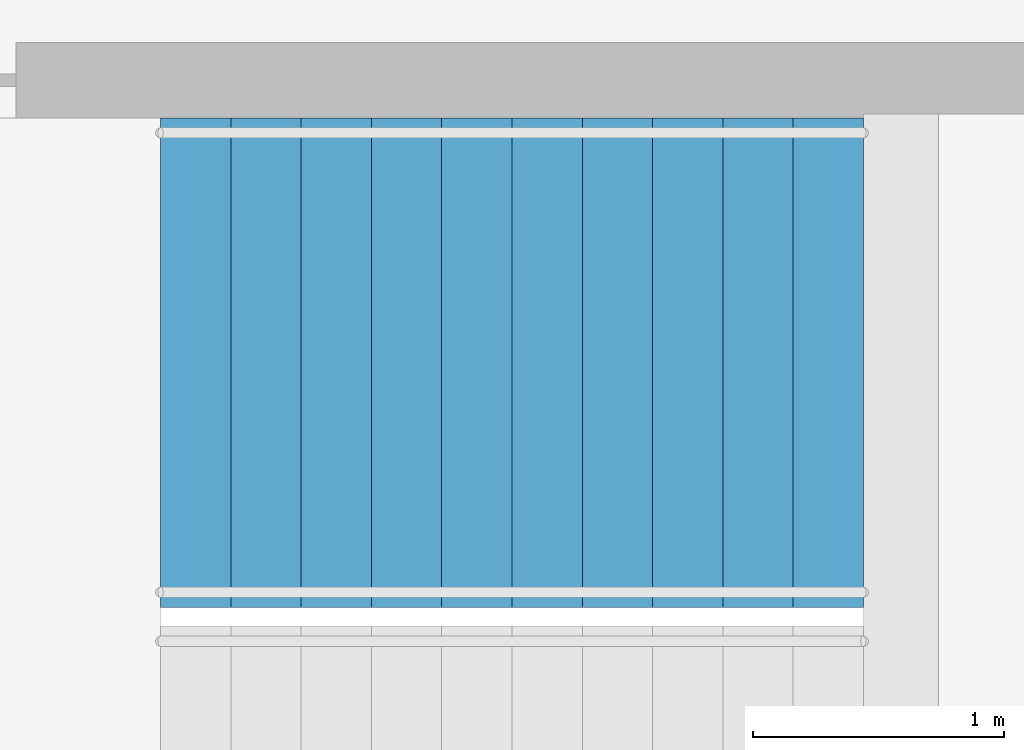
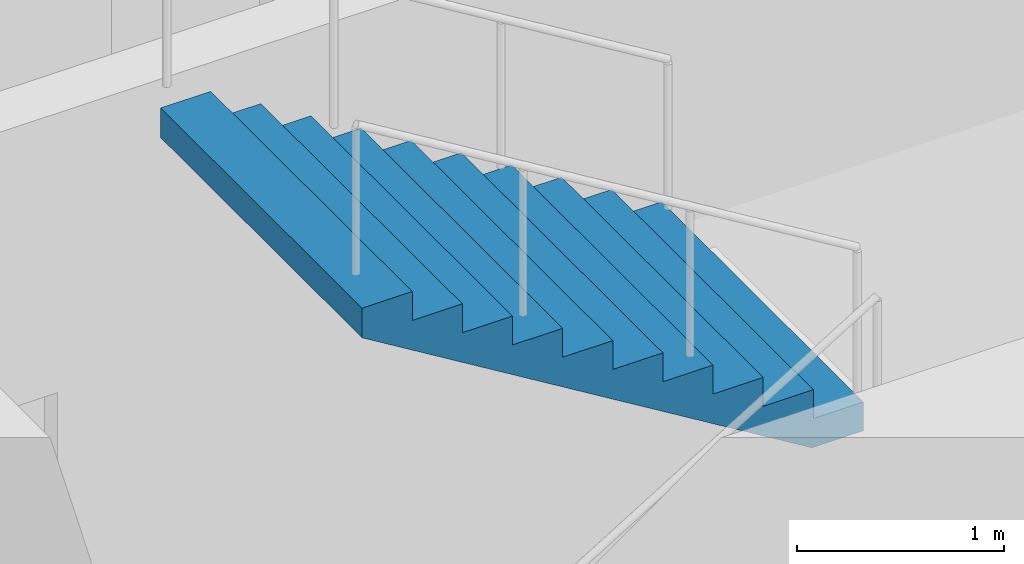
# One storey, part 21 of 25: 1 stair flight, 1 element without a shape of its own.
"""IFC4 building model written with IfcOpenShell, lengths in metres."""

from ifc_helpers import new_model, si_unit, direction, frame, origin, place, context, subcontext, project, spatial, triangles, material, type_object, element, aggregate, save


model = new_model("IFC4")

# Units and contexts
model_context = context("Model", 3, precision=1e-05, world=origin(), true_north=direction((0.0, 1.0)))
body_context = subcontext(model_context, "Body", "Model", "MODEL_VIEW")
ifc_project = project(units=[si_unit("LENGTHUNIT", "METRE"), si_unit("AREAUNIT", "SQUARE_METRE"), si_unit("VOLUMEUNIT", "CUBIC_METRE"), si_unit("PLANEANGLEUNIT", "RADIAN"), si_unit("MASSUNIT", "GRAM", prefix="KILO")], contexts=[model_context])

# Site, building, storey
site_placement = place(None, origin())
site = spatial("IfcSite", under=ifc_project, at=site_placement, CompositionType="ELEMENT")
building_placement = place(site_placement, origin())
building = spatial("IfcBuilding", under=site, at=building_placement, Name="Orbita Commons", CompositionType="ELEMENT")
storey_placement = place(building_placement, frame((0.0, 0.0, 99.39990234375)))
storey = spatial("IfcBuildingStorey", under=building, at=storey_placement, Name="L24", CompositionType="ELEMENT", Elevation=99.39990234375)

# Stair, stair flight
ifc_material_1 = material(Name="Precast concrete C40/50", Category="concrete")
stair_type = type_object("IfcStairType", Name="Exit stair S1 2 flights 11 risers 170", PredefinedType="HALF_TURN_STAIR", material=ifc_material_1)
stair_placement = place(storey_placement, origin())
stair = element("IfcStair", 1, at=stair_placement, inside=storey, type_object=stair_type, Name="Exit stair S1 L24", PredefinedType="HALF_TURN_STAIR")
ifc_material_2 = material(Name="Precast concrete C40/50", Category="concrete")
stair_flight_type = type_object("IfcStairFlightType", Name="Stair flight 11 risers 170 x 280", PredefinedType="STRAIGHT", material=ifc_material_2)
stair_flight_placement = place(storey_placement, frame((23.25, 29.27490234375, 1.875), z_axis=(0.0, 0.0, 1.0), x_axis=(-1.0, 0.0, 0.0)))
stair_flight = element("IfcStairFlight", 2, at=stair_flight_placement, type_object=stair_flight_type, Name="S1 flight 2", NumberOfRisers=11, NumberOfTreads=10, PredefinedType="STRAIGHT", RiserHeight=0.170454545, TreadLength=0.28, context=body_context, shape_type="Tessellation", body=[
    triangles([(0.0, 0.974976, 0.0), (0.0, 0.974976, 0.021307), (0.0, 0.81248, 0.021307), (0.0, 0.81248, 0.0), (0.0, 0.649984, 0.021307), (0.0, 0.649984, 0.0), (0.0, 0.487488, 0.021307), (0.0, 0.487488, 0.0), (0.0, 0.324992, 0.021307), (0.0, 0.324992, 0.0), (0.0, 0.162496, 0.021307), (0.0, 0.162496, 0.0), (0.0, 0.0, 0.021307), (0.0, 0.0, 0.0), (0.0, -0.162496, 0.021307), (0.0, -0.162496, 0.0), (0.0, -0.324992, 0.021307), (0.0, -0.324992, 0.0), (0.0, -0.487488, 0.021307), (0.0, -0.487488, 0.0), (0.0, -0.649984, 0.021307), (0.0, -0.649984, 0.0), (0.0, -0.81248, 0.021307), (0.0, -0.81248, 0.0), (0.0, -0.974976, 0.021307), (0.0, -0.974976, 0.0), (0.0, 0.974976, 0.042614), (0.0, 0.81248, 0.042614), (0.0, 0.649984, 0.042614), (0.0, 0.487488, 0.042614), (0.0, 0.324992, 0.042614), (0.0, 0.162496, 0.042614), (0.0, 0.0, 0.042614), (0.0, -0.162496, 0.042614), (0.0, -0.324992, 0.042614), (0.0, -0.487488, 0.042614), (0.0, -0.649984, 0.042614), (0.0, -0.81248, 0.042614), (0.0, -0.974976, 0.042614), (0.0, 0.974976, 0.06392), (0.0, 0.81248, 0.06392), (0.0, 0.649984, 0.06392), (0.0, 0.487488, 0.06392), (0.0, 0.324992, 0.06392), (0.0, 0.162496, 0.06392), (0.0, 0.0, 0.06392), (0.0, -0.162496, 0.06392), (0.0, -0.324992, 0.06392), (0.0, -0.487488, 0.06392), (0.0, -0.649984, 0.06392), (0.0, -0.81248, 0.06392), (0.0, -0.974976, 0.06392), (0.0, 0.974976, 0.085227), (0.0, 0.81248, 0.085227), (0.0, 0.649984, 0.085227), (0.0, 0.487488, 0.085227), (0.0, 0.324992, 0.085227), (0.0, 0.162496, 0.085227), (0.0, 0.0, 0.085227), (0.0, -0.162496, 0.085227), (0.0, -0.324992, 0.085227), (0.0, -0.487488, 0.085227), (0.0, -0.649984, 0.085227), (0.0, -0.81248, 0.085227), (0.0, -0.974976, 0.085227), (0.0, 0.974976, 0.106534), (0.0, 0.81248, 0.106534), (0.0, 0.649984, 0.106534), (0.0, 0.487488, 0.106534), (0.0, 0.324992, 0.106534), (0.0, 0.162496, 0.106534), (0.0, 0.0, 0.106534), (0.0, -0.162496, 0.106534), (0.0, -0.324992, 0.106534), (0.0, -0.487488, 0.106534), (0.0, -0.649984, 0.106534), (0.0, -0.81248, 0.106534), (0.0, -0.974976, 0.106534), (0.0, 0.974976, 0.127841), (0.0, 0.81248, 0.127841), (0.0, 0.649984, 0.127841), (0.0, 0.487488, 0.127841), (0.0, 0.324992, 0.127841), (0.0, 0.162496, 0.127841), (0.0, 0.0, 0.127841), (0.0, -0.162496, 0.127841), (0.0, -0.324992, 0.127841), (0.0, -0.487488, 0.127841), (0.0, -0.649984, 0.127841), (0.0, -0.81248, 0.127841), (0.0, -0.974976, 0.127841), (0.0, 0.974976, 0.149148), (0.0, 0.81248, 0.149148), (0.0, 0.649984, 0.149148), (0.0, 0.487488, 0.149148), (0.0, 0.324992, 0.149148), (0.0, 0.162496, 0.149148), (0.0, 0.0, 0.149148), (0.0, -0.162496, 0.149148), (0.0, -0.324992, 0.149148), (0.0, -0.487488, 0.149148), (0.0, -0.649984, 0.149148), (0.0, -0.81248, 0.149148), (0.0, -0.974976, 0.149148), (0.0, 0.974976, 0.170455), (0.0, 0.81248, 0.170455), (0.0, 0.649984, 0.170455), (0.0, 0.487488, 0.170455), (0.0, 0.324992, 0.170455), (0.0, 0.162496, 0.170455), (0.0, 0.0, 0.170455), (0.0, -0.162496, 0.170455), (0.0, -0.324992, 0.170455), (0.0, -0.487488, 0.170455), (0.0, -0.649984, 0.170455), (0.0, -0.81248, 0.170455), (0.0, -0.974976, 0.170455), (0.28, 0.974976, 0.170455), (0.28, 0.81248, 0.170455), (0.28, 0.649984, 0.170455), (0.28, 0.487488, 0.170455), (0.28, 0.324992, 0.170455), (0.28, 0.162496, 0.170455), (0.28, 0.0, 0.170455), (0.28, -0.162496, 0.170455), (0.28, -0.324992, 0.170455), (0.28, -0.487488, 0.170455), (0.28, -0.649984, 0.170455), (0.28, -0.81248, 0.170455), (0.28, -0.974976, 0.170455), (0.28, 0.974976, 0.340909), (0.28, 0.81248, 0.340909), (0.28, 0.649984, 0.340909), (0.28, 0.487488, 0.340909), (0.28, 0.324992, 0.340909), (0.28, 0.162496, 0.340909), (0.28, 0.0, 0.340909), (0.28, -0.162496, 0.340909), (0.28, -0.324992, 0.340909), (0.28, -0.487488, 0.340909), (0.28, -0.649984, 0.340909), (0.28, -0.81248, 0.340909), (0.28, -0.974976, 0.340909), (0.56, 0.974976, 0.340909), (0.56, 0.81248, 0.340909), (0.56, 0.649984, 0.340909), (0.56, 0.487488, 0.340909), (0.56, 0.324992, 0.340909), (0.56, 0.162496, 0.340909), (0.56, 0.0, 0.340909), (0.56, -0.162496, 0.340909), (0.56, -0.324992, 0.340909), (0.56, -0.487488, 0.340909), (0.56, -0.649984, 0.340909), (0.56, -0.81248, 0.340909), (0.56, -0.974976, 0.340909), (0.56, 0.974976, 0.511364), (0.56, 0.81248, 0.511364), (0.56, 0.649984, 0.511364), (0.56, 0.487488, 0.511364), (0.56, 0.324992, 0.511364), (0.56, 0.162496, 0.511364), (0.56, 0.0, 0.511364), (0.56, -0.162496, 0.511364), (0.56, -0.324992, 0.511364), (0.56, -0.487488, 0.511364), (0.56, -0.649984, 0.511364), (0.56, -0.81248, 0.511364), (0.56, -0.974976, 0.511364), (0.84, 0.974976, 0.511364), (0.84, 0.81248, 0.511364), (0.84, 0.649984, 0.511364), (0.84, 0.487488, 0.511364), (0.84, 0.324992, 0.511364), (0.84, 0.162496, 0.511364), (0.84, 0.0, 0.511364), (0.84, -0.162496, 0.511364), (0.84, -0.324992, 0.511364), (0.84, -0.487488, 0.511364), (0.84, -0.649984, 0.511364), (0.84, -0.81248, 0.511364), (0.84, -0.974976, 0.511364), (0.84, 0.974976, 0.681818), (0.84, 0.81248, 0.681818), (0.84, 0.649984, 0.681818), (0.84, 0.487488, 0.681818), (0.84, 0.324992, 0.681818), (0.84, 0.162496, 0.681818), (0.84, 0.0, 0.681818), (0.84, -0.162496, 0.681818), (0.84, -0.324992, 0.681818), (0.84, -0.487488, 0.681818), (0.84, -0.649984, 0.681818), (0.84, -0.81248, 0.681818), (0.84, -0.974976, 0.681818), (1.12, 0.974976, 0.681818), (1.12, 0.81248, 0.681818), (1.12, 0.649984, 0.681818), (1.12, 0.487488, 0.681818), (1.12, 0.324992, 0.681818), (1.12, 0.162496, 0.681818), (1.12, 0.0, 0.681818), (1.12, -0.162496, 0.681818), (1.12, -0.324992, 0.681818), (1.12, -0.487488, 0.681818), (1.12, -0.649984, 0.681818), (1.12, -0.81248, 0.681818), (1.12, -0.974976, 0.681818), (1.12, 0.974976, 0.852273), (1.12, 0.81248, 0.852273), (1.12, 0.649984, 0.852273), (1.12, 0.487488, 0.852273), (1.12, 0.324992, 0.852273), (1.12, 0.162496, 0.852273), (1.12, 0.0, 0.852273), (1.12, -0.162496, 0.852273), (1.12, -0.324992, 0.852273), (1.12, -0.487488, 0.852273), (1.12, -0.649984, 0.852273), (1.12, -0.81248, 0.852273), (1.12, -0.974976, 0.852273), (1.4, 0.974976, 0.852273), (1.4, 0.81248, 0.852273), (1.4, 0.649984, 0.852273), (1.4, 0.487488, 0.852273), (1.4, 0.324992, 0.852273), (1.4, 0.162496, 0.852273), (1.4, 0.0, 0.852273), (1.4, -0.162496, 0.852273), (1.4, -0.324992, 0.852273), (1.4, -0.487488, 0.852273), (1.4, -0.649984, 0.852273), (1.4, -0.81248, 0.852273), (1.4, -0.974976, 0.852273), (1.4, 0.974976, 1.022727), (1.4, 0.81248, 1.022727), (1.4, 0.649984, 1.022727), (1.4, 0.487488, 1.022727), (1.4, 0.324992, 1.022727), (1.4, 0.162496, 1.022727), (1.4, 0.0, 1.022727), (1.4, -0.162496, 1.022727), (1.4, -0.324992, 1.022727), (1.4, -0.487488, 1.022727), (1.4, -0.649984, 1.022727), (1.4, -0.81248, 1.022727), (1.4, -0.974976, 1.022727), (1.68, 0.974976, 1.022727), (1.68, 0.81248, 1.022727), (1.68, 0.649984, 1.022727), (1.68, 0.487488, 1.022727), (1.68, 0.324992, 1.022727), (1.68, 0.162496, 1.022727), (1.68, 0.0, 1.022727), (1.68, -0.162496, 1.022727), (1.68, -0.324992, 1.022727), (1.68, -0.487488, 1.022727), (1.68, -0.649984, 1.022727), (1.68, -0.81248, 1.022727), (1.68, -0.974976, 1.022727), (1.68, 0.974976, 1.193182), (1.68, 0.81248, 1.193182), (1.68, 0.649984, 1.193182), (1.68, 0.487488, 1.193182), (1.68, 0.324992, 1.193182), (1.68, 0.162496, 1.193182), (1.68, 0.0, 1.193182), (1.68, -0.162496, 1.193182), (1.68, -0.324992, 1.193182), (1.68, -0.487488, 1.193182), (1.68, -0.649984, 1.193182), (1.68, -0.81248, 1.193182), (1.68, -0.974976, 1.193182), (1.96, 0.974976, 1.193182), (1.96, 0.81248, 1.193182), (1.96, 0.649984, 1.193182), (1.96, 0.487488, 1.193182), (1.96, 0.324992, 1.193182), (1.96, 0.162496, 1.193182), (1.96, 0.0, 1.193182), (1.96, -0.162496, 1.193182), (1.96, -0.324992, 1.193182), (1.96, -0.487488, 1.193182), (1.96, -0.649984, 1.193182), (1.96, -0.81248, 1.193182), (1.96, -0.974976, 1.193182), (1.96, 0.974976, 1.363636), (1.96, 0.81248, 1.363636), (1.96, 0.649984, 1.363636), (1.96, 0.487488, 1.363636), (1.96, 0.324992, 1.363636), (1.96, 0.162496, 1.363636), (1.96, 0.0, 1.363636), (1.96, -0.162496, 1.363636), (1.96, -0.324992, 1.363636), (1.96, -0.487488, 1.363636), (1.96, -0.649984, 1.363636), (1.96, -0.81248, 1.363636), (1.96, -0.974976, 1.363636), (2.24, 0.974976, 1.363636), (2.24, 0.81248, 1.363636), (2.24, 0.649984, 1.363636), (2.24, 0.487488, 1.363636), (2.24, 0.324992, 1.363636), (2.24, 0.162496, 1.363636), (2.24, 0.0, 1.363636), (2.24, -0.162496, 1.363636), (2.24, -0.324992, 1.363636), (2.24, -0.487488, 1.363636), (2.24, -0.649984, 1.363636), (2.24, -0.81248, 1.363636), (2.24, -0.974976, 1.363636), (2.24, 0.974976, 1.534091), (2.24, 0.81248, 1.534091), (2.24, 0.649984, 1.534091), (2.24, 0.487488, 1.534091), (2.24, 0.324992, 1.534091), (2.24, 0.162496, 1.534091), (2.24, 0.0, 1.534091), (2.24, -0.162496, 1.534091), (2.24, -0.324992, 1.534091), (2.24, -0.487488, 1.534091), (2.24, -0.649984, 1.534091), (2.24, -0.81248, 1.534091), (2.24, -0.974976, 1.534091), (2.52, 0.974976, 1.534091), (2.52, 0.81248, 1.534091), (2.52, 0.649984, 1.534091), (2.52, 0.487488, 1.534091), (2.52, 0.324992, 1.534091), (2.52, 0.162496, 1.534091), (2.52, 0.0, 1.534091), (2.52, -0.162496, 1.534091), (2.52, -0.324992, 1.534091), (2.52, -0.487488, 1.534091), (2.52, -0.649984, 1.534091), (2.52, -0.81248, 1.534091), (2.52, -0.974976, 1.534091), (2.52, 0.974976, 1.704545), (2.52, 0.81248, 1.704545), (2.52, 0.649984, 1.704545), (2.52, 0.487488, 1.704545), (2.52, 0.324992, 1.704545), (2.52, 0.162496, 1.704545), (2.52, 0.0, 1.704545), (2.52, -0.162496, 1.704545), (2.52, -0.324992, 1.704545), (2.52, -0.487488, 1.704545), (2.52, -0.649984, 1.704545), (2.52, -0.81248, 1.704545), (2.52, -0.974976, 1.704545), (2.8, 0.974976, 1.704545), (2.8, 0.81248, 1.704545), (2.8, 0.649984, 1.704545), (2.8, 0.487488, 1.704545), (2.8, 0.324992, 1.704545), (2.8, 0.162496, 1.704545), (2.8, 0.0, 1.704545), (2.8, -0.162496, 1.704545), (2.8, -0.324992, 1.704545), (2.8, -0.487488, 1.704545), (2.8, -0.649984, 1.704545), (2.8, -0.81248, 1.704545), (2.8, -0.974976, 1.704545), (2.8, 0.974976, 1.682609), (2.8, 0.81248, 1.682609), (2.8, 0.649984, 1.682609), (2.8, 0.487488, 1.682609), (2.8, 0.324992, 1.682609), (2.8, 0.162496, 1.682609), (2.8, 0.0, 1.682609), (2.8, -0.162496, 1.682609), (2.8, -0.324992, 1.682609), (2.8, -0.487488, 1.682609), (2.8, -0.649984, 1.682609), (2.8, -0.81248, 1.682609), (2.8, -0.974976, 1.682609), (2.8, 0.974976, 1.660672), (2.8, 0.81248, 1.660672), (2.8, 0.649984, 1.660672), (2.8, 0.487488, 1.660672), (2.8, 0.324992, 1.660672), (2.8, 0.162496, 1.660672), (2.8, 0.0, 1.660672), (2.8, -0.162496, 1.660672), (2.8, -0.324992, 1.660672), (2.8, -0.487488, 1.660672), (2.8, -0.649984, 1.660672), (2.8, -0.81248, 1.660672), (2.8, -0.974976, 1.660672), (2.8, 0.974976, 1.638735), (2.8, 0.81248, 1.638735), (2.8, 0.649984, 1.638735), (2.8, 0.487488, 1.638735), (2.8, 0.324992, 1.638735), (2.8, 0.162496, 1.638735), (2.8, 0.0, 1.638735), (2.8, -0.162496, 1.638735), (2.8, -0.324992, 1.638735), (2.8, -0.487488, 1.638735), (2.8, -0.649984, 1.638735), (2.8, -0.81248, 1.638735), (2.8, -0.974976, 1.638735), (2.8, 0.974976, 1.616798), (2.8, 0.81248, 1.616798), (2.8, 0.649984, 1.616798), (2.8, 0.487488, 1.616798), (2.8, 0.324992, 1.616798), (2.8, 0.162496, 1.616798), (2.8, 0.0, 1.616798), (2.8, -0.162496, 1.616798), (2.8, -0.324992, 1.616798), (2.8, -0.487488, 1.616798), (2.8, -0.649984, 1.616798), (2.8, -0.81248, 1.616798), (2.8, -0.974976, 1.616798), (2.8, 0.974976, 1.594861), (2.8, 0.81248, 1.594861), (2.8, 0.649984, 1.594861), (2.8, 0.487488, 1.594861), (2.8, 0.324992, 1.594861), (2.8, 0.162496, 1.594861), (2.8, 0.0, 1.594861), (2.8, -0.162496, 1.594861), (2.8, -0.324992, 1.594861), (2.8, -0.487488, 1.594861), (2.8, -0.649984, 1.594861), (2.8, -0.81248, 1.594861), (2.8, -0.974976, 1.594861), (2.8, 0.974976, 1.572925), (2.8, 0.81248, 1.572925), (2.8, 0.649984, 1.572925), (2.8, 0.487488, 1.572925), (2.8, 0.324992, 1.572925), (2.8, 0.162496, 1.572925), (2.8, 0.0, 1.572925), (2.8, -0.162496, 1.572925), (2.8, -0.324992, 1.572925), (2.8, -0.487488, 1.572925), (2.8, -0.649984, 1.572925), (2.8, -0.81248, 1.572925), (2.8, -0.974976, 1.572925), (2.8, 0.974976, 1.550988), (2.8, 0.81248, 1.550988), (2.8, 0.649984, 1.550988), (2.8, 0.487488, 1.550988), (2.8, 0.324992, 1.550988), (2.8, 0.162496, 1.550988), (2.8, 0.0, 1.550988), (2.8, -0.162496, 1.550988), (2.8, -0.324992, 1.550988), (2.8, -0.487488, 1.550988), (2.8, -0.649984, 1.550988), (2.8, -0.81248, 1.550988), (2.8, -0.974976, 1.550988), (2.8, 0.974976, 1.529051), (2.8, 0.81248, 1.529051), (2.8, 0.649984, 1.529051), (2.8, 0.487488, 1.529051), (2.8, 0.324992, 1.529051), (2.8, 0.162496, 1.529051), (2.8, 0.0, 1.529051), (2.8, -0.162496, 1.529051), (2.8, -0.324992, 1.529051), (2.8, -0.487488, 1.529051), (2.8, -0.649984, 1.529051), (2.8, -0.81248, 1.529051), (2.8, -0.974976, 1.529051), (0.288279, 0.974976, 0.0), (0.288279, 0.81248, 0.0), (0.288279, 0.649984, 0.0), (0.288279, 0.487488, 0.0), (0.288279, 0.324992, 0.0), (0.288279, 0.162496, 0.0), (0.288279, 0.0, 0.0), (0.288279, -0.162496, 0.0), (0.288279, -0.324992, 0.0), (0.288279, -0.487488, 0.0), (0.288279, -0.649984, 0.0), (0.288279, -0.81248, 0.0), (0.288279, -0.974976, 0.0)], [[3, 2, 1], [4, 3, 1], [5, 3, 4], [6, 5, 4], [7, 5, 6], [8, 7, 6], [9, 7, 8], [10, 9, 8], [11, 9, 10], [12, 11, 10], [13, 11, 12], [14, 13, 12], [15, 13, 14], [16, 15, 14], [17, 15, 16], [18, 17, 16], [19, 17, 18], [20, 19, 18], [21, 19, 20], [22, 21, 20], [23, 21, 22], [24, 23, 22], [25, 23, 24], [26, 25, 24], [28, 27, 2], [3, 28, 2], [29, 28, 3], [5, 29, 3], [30, 29, 5], [7, 30, 5], [31, 30, 7], [9, 31, 7], [32, 31, 9], [11, 32, 9], [33, 32, 11], [13, 33, 11], [34, 33, 13], [15, 34, 13], [35, 34, 15], [17, 35, 15], [36, 35, 17], [19, 36, 17], [37, 36, 19], [21, 37, 19], [38, 37, 21], [23, 38, 21], [39, 38, 23], [25, 39, 23], [41, 40, 27], [28, 41, 27], [42, 41, 28], [29, 42, 28], [43, 42, 29], [30, 43, 29], [44, 43, 30], [31, 44, 30], [45, 44, 31], [32, 45, 31], [46, 45, 32], [33, 46, 32], [47, 46, 33], [34, 47, 33], [48, 47, 34], [35, 48, 34], [49, 48, 35], [36, 49, 35], [50, 49, 36], [37, 50, 36], [51, 50, 37], [38, 51, 37], [52, 51, 38], [39, 52, 38], [54, 53, 40], [41, 54, 40], [55, 54, 41], [42, 55, 41], [56, 55, 42], [43, 56, 42], [57, 56, 43], [44, 57, 43], [58, 57, 44], [45, 58, 44], [59, 58, 45], [46, 59, 45], [60, 59, 46], [47, 60, 46], [61, 60, 47], [48, 61, 47], [62, 61, 48], [49, 62, 48], [63, 62, 49], [50, 63, 49], [64, 63, 50], [51, 64, 50], [65, 64, 51], [52, 65, 51], [67, 66, 53], [54, 67, 53], [68, 67, 54], [55, 68, 54], [69, 68, 55], [56, 69, 55], [70, 69, 56], [57, 70, 56], [71, 70, 57], [58, 71, 57], [72, 71, 58], [59, 72, 58], [73, 72, 59], [60, 73, 59], [74, 73, 60], [61, 74, 60], [75, 74, 61], [62, 75, 61], [76, 75, 62], [63, 76, 62], [77, 76, 63], [64, 77, 63], [78, 77, 64], [65, 78, 64], [80, 79, 66], [67, 80, 66], [81, 80, 67], [68, 81, 67], [82, 81, 68], [69, 82, 68], [83, 82, 69], [70, 83, 69], [84, 83, 70], [71, 84, 70], [85, 84, 71], [72, 85, 71], [86, 85, 72], [73, 86, 72], [87, 86, 73], [74, 87, 73], [88, 87, 74], [75, 88, 74], [89, 88, 75], [76, 89, 75], [90, 89, 76], [77, 90, 76], [91, 90, 77], [78, 91, 77], [93, 92, 79], [80, 93, 79], [94, 93, 80], [81, 94, 80], [95, 94, 81], [82, 95, 81], [96, 95, 82], [83, 96, 82], [97, 96, 83], [84, 97, 83], [98, 97, 84], [85, 98, 84], [99, 98, 85], [86, 99, 85], [100, 99, 86], [87, 100, 86], [101, 100, 87], [88, 101, 87], [102, 101, 88], [89, 102, 88], [103, 102, 89], [90, 103, 89], [104, 103, 90], [91, 104, 90], [106, 105, 92], [93, 106, 92], [107, 106, 93], [94, 107, 93], [108, 107, 94], [95, 108, 94], [109, 108, 95], [96, 109, 95], [110, 109, 96], [97, 110, 96], [111, 110, 97], [98, 111, 97], [112, 111, 98], [99, 112, 98], [113, 112, 99], [100, 113, 99], [114, 113, 100], [101, 114, 100], [115, 114, 101], [102, 115, 101], [116, 115, 102], [103, 116, 102], [117, 116, 103], [104, 117, 103], [119, 118, 105], [106, 119, 105], [120, 119, 106], [107, 120, 106], [121, 120, 107], [108, 121, 107], [122, 121, 108], [109, 122, 108], [123, 122, 109], [110, 123, 109], [124, 123, 110], [111, 124, 110], [125, 124, 111], [112, 125, 111], [126, 125, 112], [113, 126, 112], [127, 126, 113], [114, 127, 113], [128, 127, 114], [115, 128, 114], [129, 128, 115], [116, 129, 115], [130, 129, 116], [117, 130, 116], [132, 131, 118], [119, 132, 118], [133, 132, 119], [120, 133, 119], [134, 133, 120], [121, 134, 120], [135, 134, 121], [122, 135, 121], [136, 135, 122], [123, 136, 122], [137, 136, 123], [124, 137, 123], [138, 137, 124], [125, 138, 124], [139, 138, 125], [126, 139, 125], [140, 139, 126], [127, 140, 126], [141, 140, 127], [128, 141, 127], [142, 141, 128], [129, 142, 128], [143, 142, 129], [130, 143, 129], [145, 144, 131], [132, 145, 131], [146, 145, 132], [133, 146, 132], [147, 146, 133], [134, 147, 133], [148, 147, 134], [135, 148, 134], [149, 148, 135], [136, 149, 135], [150, 149, 136], [137, 150, 136], [151, 150, 137], [138, 151, 137], [152, 151, 138], [139, 152, 138], [153, 152, 139], [140, 153, 139], [154, 153, 140], [141, 154, 140], [155, 154, 141], [142, 155, 141], [156, 155, 142], [143, 156, 142], [158, 157, 144], [145, 158, 144], [159, 158, 145], [146, 159, 145], [160, 159, 146], [147, 160, 146], [161, 160, 147], [148, 161, 147], [162, 161, 148], [149, 162, 148], [163, 162, 149], [150, 163, 149], [164, 163, 150], [151, 164, 150], [165, 164, 151], [152, 165, 151], [166, 165, 152], [153, 166, 152], [167, 166, 153], [154, 167, 153], [168, 167, 154], [155, 168, 154], [169, 168, 155], [156, 169, 155], [171, 170, 157], [158, 171, 157], [172, 171, 158], [159, 172, 158], [173, 172, 159], [160, 173, 159], [174, 173, 160], [161, 174, 160], [175, 174, 161], [162, 175, 161], [176, 175, 162], [163, 176, 162], [177, 176, 163], [164, 177, 163], [178, 177, 164], [165, 178, 164], [179, 178, 165], [166, 179, 165], [180, 179, 166], [167, 180, 166], [181, 180, 167], [168, 181, 167], [182, 181, 168], [169, 182, 168], [184, 183, 170], [171, 184, 170], [185, 184, 171], [172, 185, 171], [186, 185, 172], [173, 186, 172], [187, 186, 173], [174, 187, 173], [188, 187, 174], [175, 188, 174], [189, 188, 175], [176, 189, 175], [190, 189, 176], [177, 190, 176], [191, 190, 177], [178, 191, 177], [192, 191, 178], [179, 192, 178], [193, 192, 179], [180, 193, 179], [194, 193, 180], [181, 194, 180], [195, 194, 181], [182, 195, 181], [197, 196, 183], [184, 197, 183], [198, 197, 184], [185, 198, 184], [199, 198, 185], [186, 199, 185], [200, 199, 186], [187, 200, 186], [201, 200, 187], [188, 201, 187], [202, 201, 188], [189, 202, 188], [203, 202, 189], [190, 203, 189], [204, 203, 190], [191, 204, 190], [205, 204, 191], [192, 205, 191], [206, 205, 192], [193, 206, 192], [207, 206, 193], [194, 207, 193], [208, 207, 194], [195, 208, 194], [210, 209, 196], [197, 210, 196], [211, 210, 197], [198, 211, 197], [212, 211, 198], [199, 212, 198], [213, 212, 199], [200, 213, 199], [214, 213, 200], [201, 214, 200], [215, 214, 201], [202, 215, 201], [216, 215, 202], [203, 216, 202], [217, 216, 203], [204, 217, 203], [218, 217, 204], [205, 218, 204], [219, 218, 205], [206, 219, 205], [220, 219, 206], [207, 220, 206], [221, 220, 207], [208, 221, 207], [223, 222, 209], [210, 223, 209], [224, 223, 210], [211, 224, 210], [225, 224, 211], [212, 225, 211], [226, 225, 212], [213, 226, 212], [227, 226, 213], [214, 227, 213], [228, 227, 214], [215, 228, 214], [229, 228, 215], [216, 229, 215], [230, 229, 216], [217, 230, 216], [231, 230, 217], [218, 231, 217], [232, 231, 218], [219, 232, 218], [233, 232, 219], [220, 233, 219], [234, 233, 220], [221, 234, 220], [236, 235, 222], [223, 236, 222], [237, 236, 223], [224, 237, 223], [238, 237, 224], [225, 238, 224], [239, 238, 225], [226, 239, 225], [240, 239, 226], [227, 240, 226], [241, 240, 227], [228, 241, 227], [242, 241, 228], [229, 242, 228], [243, 242, 229], [230, 243, 229], [244, 243, 230], [231, 244, 230], [245, 244, 231], [232, 245, 231], [246, 245, 232], [233, 246, 232], [247, 246, 233], [234, 247, 233], [249, 248, 235], [236, 249, 235], [250, 249, 236], [237, 250, 236], [251, 250, 237], [238, 251, 237], [252, 251, 238], [239, 252, 238], [253, 252, 239], [240, 253, 239], [254, 253, 240], [241, 254, 240], [255, 254, 241], [242, 255, 241], [256, 255, 242], [243, 256, 242], [257, 256, 243], [244, 257, 243], [258, 257, 244], [245, 258, 244], [259, 258, 245], [246, 259, 245], [260, 259, 246], [247, 260, 246], [262, 261, 248], [249, 262, 248], [263, 262, 249], [250, 263, 249], [264, 263, 250], [251, 264, 250], [265, 264, 251], [252, 265, 251], [266, 265, 252], [253, 266, 252], [267, 266, 253], [254, 267, 253], [268, 267, 254], [255, 268, 254], [269, 268, 255], [256, 269, 255], [270, 269, 256], [257, 270, 256], [271, 270, 257], [258, 271, 257], [272, 271, 258], [259, 272, 258], [273, 272, 259], [260, 273, 259], [275, 274, 261], [262, 275, 261], [276, 275, 262], [263, 276, 262], [277, 276, 263], [264, 277, 263], [278, 277, 264], [265, 278, 264], [279, 278, 265], [266, 279, 265], [280, 279, 266], [267, 280, 266], [281, 280, 267], [268, 281, 267], [282, 281, 268], [269, 282, 268], [283, 282, 269], [270, 283, 269], [284, 283, 270], [271, 284, 270], [285, 284, 271], [272, 285, 271], [286, 285, 272], [273, 286, 272], [288, 287, 274], [275, 288, 274], [289, 288, 275], [276, 289, 275], [290, 289, 276], [277, 290, 276], [291, 290, 277], [278, 291, 277], [292, 291, 278], [279, 292, 278], [293, 292, 279], [280, 293, 279], [294, 293, 280], [281, 294, 280], [295, 294, 281], [282, 295, 281], [296, 295, 282], [283, 296, 282], [297, 296, 283], [284, 297, 283], [298, 297, 284], [285, 298, 284], [299, 298, 285], [286, 299, 285], [301, 300, 287], [288, 301, 287], [302, 301, 288], [289, 302, 288], [303, 302, 289], [290, 303, 289], [304, 303, 290], [291, 304, 290], [305, 304, 291], [292, 305, 291], [306, 305, 292], [293, 306, 292], [307, 306, 293], [294, 307, 293], [308, 307, 294], [295, 308, 294], [309, 308, 295], [296, 309, 295], [310, 309, 296], [297, 310, 296], [311, 310, 297], [298, 311, 297], [312, 311, 298], [299, 312, 298], [314, 313, 300], [301, 314, 300], [315, 314, 301], [302, 315, 301], [316, 315, 302], [303, 316, 302], [317, 316, 303], [304, 317, 303], [318, 317, 304], [305, 318, 304], [319, 318, 305], [306, 319, 305], [320, 319, 306], [307, 320, 306], [321, 320, 307], [308, 321, 307], [322, 321, 308], [309, 322, 308], [323, 322, 309], [310, 323, 309], [324, 323, 310], [311, 324, 310], [325, 324, 311], [312, 325, 311], [327, 326, 313], [314, 327, 313], [328, 327, 314], [315, 328, 314], [329, 328, 315], [316, 329, 315], [330, 329, 316], [317, 330, 316], [331, 330, 317], [318, 331, 317], [332, 331, 318], [319, 332, 318], [333, 332, 319], [320, 333, 319], [334, 333, 320], [321, 334, 320], [335, 334, 321], [322, 335, 321], [336, 335, 322], [323, 336, 322], [337, 336, 323], [324, 337, 323], [338, 337, 324], [325, 338, 324], [340, 339, 326], [327, 340, 326], [341, 340, 327], [328, 341, 327], [342, 341, 328], [329, 342, 328], [343, 342, 329], [330, 343, 329], [344, 343, 330], [331, 344, 330], [345, 344, 331], [332, 345, 331], [346, 345, 332], [333, 346, 332], [347, 346, 333], [334, 347, 333], [348, 347, 334], [335, 348, 334], [349, 348, 335], [336, 349, 335], [350, 349, 336], [337, 350, 336], [351, 350, 337], [338, 351, 337], [353, 352, 339], [340, 353, 339], [354, 353, 340], [341, 354, 340], [355, 354, 341], [342, 355, 341], [356, 355, 342], [343, 356, 342], [357, 356, 343], [344, 357, 343], [358, 357, 344], [345, 358, 344], [359, 358, 345], [346, 359, 345], [360, 359, 346], [347, 360, 346], [361, 360, 347], [348, 361, 347], [362, 361, 348], [349, 362, 348], [363, 362, 349], [350, 363, 349], [364, 363, 350], [351, 364, 350], [366, 365, 352], [353, 366, 352], [367, 366, 353], [354, 367, 353], [368, 367, 354], [355, 368, 354], [369, 368, 355], [356, 369, 355], [370, 369, 356], [357, 370, 356], [371, 370, 357], [358, 371, 357], [372, 371, 358], [359, 372, 358], [373, 372, 359], [360, 373, 359], [374, 373, 360], [361, 374, 360], [375, 374, 361], [362, 375, 361], [376, 375, 362], [363, 376, 362], [377, 376, 363], [364, 377, 363], [379, 378, 365], [366, 379, 365], [380, 379, 366], [367, 380, 366], [381, 380, 367], [368, 381, 367], [382, 381, 368], [369, 382, 368], [383, 382, 369], [370, 383, 369], [384, 383, 370], [371, 384, 370], [385, 384, 371], [372, 385, 371], [386, 385, 372], [373, 386, 372], [387, 386, 373], [374, 387, 373], [388, 387, 374], [375, 388, 374], [389, 388, 375], [376, 389, 375], [390, 389, 376], [377, 390, 376], [392, 391, 378], [379, 392, 378], [393, 392, 379], [380, 393, 379], [394, 393, 380], [381, 394, 380], [395, 394, 381], [382, 395, 381], [396, 395, 382], [383, 396, 382], [397, 396, 383], [384, 397, 383], [398, 397, 384], [385, 398, 384], [399, 398, 385], [386, 399, 385], [400, 399, 386], [387, 400, 386], [401, 400, 387], [388, 401, 387], [402, 401, 388], [389, 402, 388], [403, 402, 389], [390, 403, 389], [405, 404, 391], [392, 405, 391], [406, 405, 392], [393, 406, 392], [407, 406, 393], [394, 407, 393], [408, 407, 394], [395, 408, 394], [409, 408, 395], [396, 409, 395], [410, 409, 396], [397, 410, 396], [411, 410, 397], [398, 411, 397], [412, 411, 398], [399, 412, 398], [413, 412, 399], [400, 413, 399], [414, 413, 400], [401, 414, 400], [415, 414, 401], [402, 415, 401], [416, 415, 402], [403, 416, 402], [418, 417, 404], [405, 418, 404], [419, 418, 405], [406, 419, 405], [420, 419, 406], [407, 420, 406], [421, 420, 407], [408, 421, 407], [422, 421, 408], [409, 422, 408], [423, 422, 409], [410, 423, 409], [424, 423, 410], [411, 424, 410], [425, 424, 411], [412, 425, 411], [426, 425, 412], [413, 426, 412], [427, 426, 413], [414, 427, 413], [428, 427, 414], [415, 428, 414], [429, 428, 415], [416, 429, 415], [431, 430, 417], [418, 431, 417], [432, 431, 418], [419, 432, 418], [433, 432, 419], [420, 433, 419], [434, 433, 420], [421, 434, 420], [435, 434, 421], [422, 435, 421], [436, 435, 422], [423, 436, 422], [437, 436, 423], [424, 437, 423], [438, 437, 424], [425, 438, 424], [439, 438, 425], [426, 439, 425], [440, 439, 426], [427, 440, 426], [441, 440, 427], [428, 441, 427], [442, 441, 428], [429, 442, 428], [444, 443, 430], [431, 444, 430], [445, 444, 431], [432, 445, 431], [446, 445, 432], [433, 446, 432], [447, 446, 433], [434, 447, 433], [448, 447, 434], [435, 448, 434], [449, 448, 435], [436, 449, 435], [450, 449, 436], [437, 450, 436], [451, 450, 437], [438, 451, 437], [452, 451, 438], [439, 452, 438], [453, 452, 439], [440, 453, 439], [454, 453, 440], [441, 454, 440], [455, 454, 441], [442, 455, 441], [457, 456, 443], [444, 457, 443], [458, 457, 444], [445, 458, 444], [459, 458, 445], [446, 459, 445], [460, 459, 446], [447, 460, 446], [461, 460, 447], [448, 461, 447], [462, 461, 448], [449, 462, 448], [463, 462, 449], [450, 463, 449], [464, 463, 450], [451, 464, 450], [465, 464, 451], [452, 465, 451], [466, 465, 452], [453, 466, 452], [467, 466, 453], [454, 467, 453], [468, 467, 454], [455, 468, 454], [470, 469, 456], [457, 470, 456], [471, 470, 457], [458, 471, 457], [472, 471, 458], [459, 472, 458], [473, 472, 459], [460, 473, 459], [474, 473, 460], [461, 474, 460], [475, 474, 461], [462, 475, 461], [476, 475, 462], [463, 476, 462], [477, 476, 463], [464, 477, 463], [478, 477, 464], [465, 478, 464], [479, 478, 465], [466, 479, 465], [480, 479, 466], [467, 480, 466], [481, 480, 467], [468, 481, 467], [4, 1, 469], [470, 4, 469], [6, 4, 470], [471, 6, 470], [8, 6, 471], [472, 8, 471], [10, 8, 472], [473, 10, 472], [12, 10, 473], [474, 12, 473], [14, 12, 474], [475, 14, 474], [16, 14, 475], [476, 16, 475], [18, 16, 476], [477, 18, 476], [20, 18, 477], [478, 20, 477], [22, 20, 478], [479, 22, 478], [24, 22, 479], [480, 24, 479], [26, 24, 480], [481, 26, 480], [456, 469, 1], [26, 481, 468], [443, 456, 1], [26, 468, 455], [430, 443, 1], [26, 455, 442], [417, 430, 1], [26, 442, 429], [404, 417, 1], [26, 429, 416], [391, 404, 1], [26, 416, 403], [378, 391, 1], [26, 403, 390], [365, 378, 1], [26, 390, 377], [339, 352, 365], [377, 364, 351], [326, 339, 365], [377, 351, 338], [300, 313, 326], [338, 325, 312], [300, 326, 365], [377, 338, 312], [274, 287, 300], [312, 299, 286], [274, 300, 365], [377, 312, 286], [248, 261, 274], [286, 273, 260], [248, 274, 365], [377, 286, 260], [222, 235, 248], [260, 247, 234], [222, 248, 365], [377, 260, 234], [196, 209, 222], [234, 221, 208], [196, 222, 365], [377, 234, 208], [170, 183, 196], [208, 195, 182], [170, 196, 365], [377, 208, 182], [144, 157, 170], [182, 169, 156], [144, 170, 365], [377, 182, 156], [118, 131, 144], [156, 143, 130], [118, 144, 365], [377, 156, 130], [118, 365, 1], [26, 377, 130], [92, 105, 118], [130, 117, 104], [79, 92, 118], [130, 104, 91], [66, 79, 118], [130, 91, 78], [53, 66, 118], [130, 78, 65], [40, 53, 118], [130, 65, 52], [27, 40, 118], [130, 52, 39], [2, 27, 118], [130, 39, 25], [1, 2, 118], [130, 25, 26]], closed=True),
])
aggregate(stair, [stair_flight])

save(model, "model.ifc")
